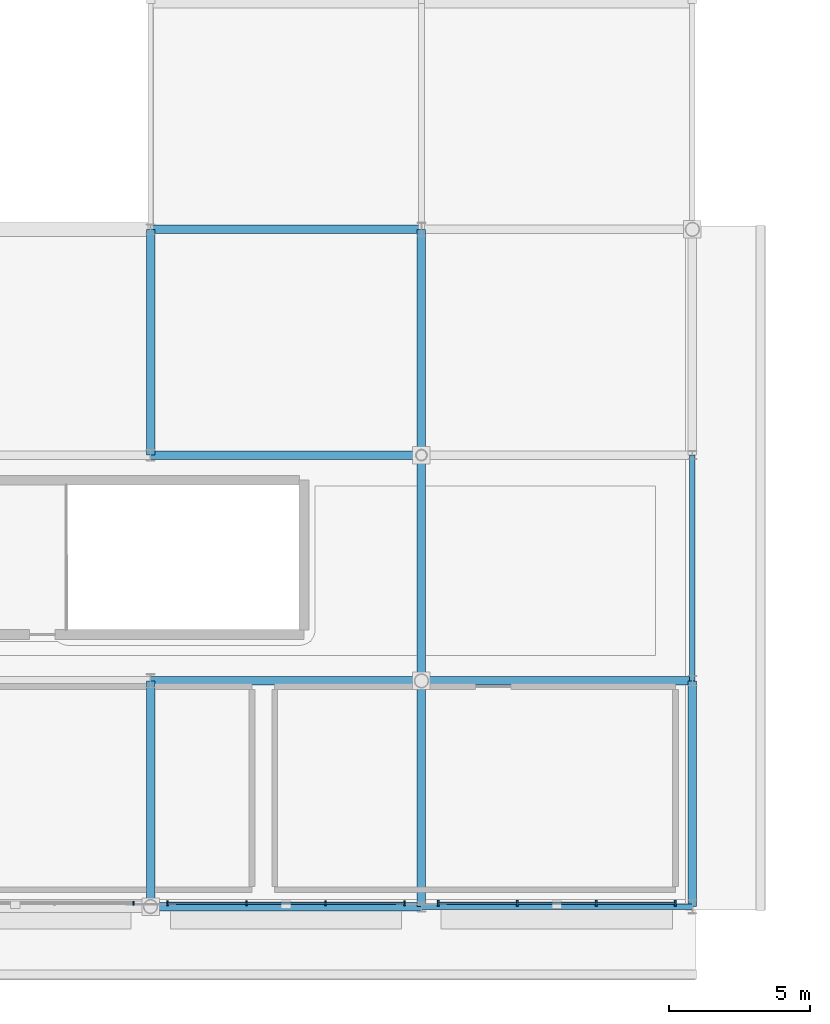
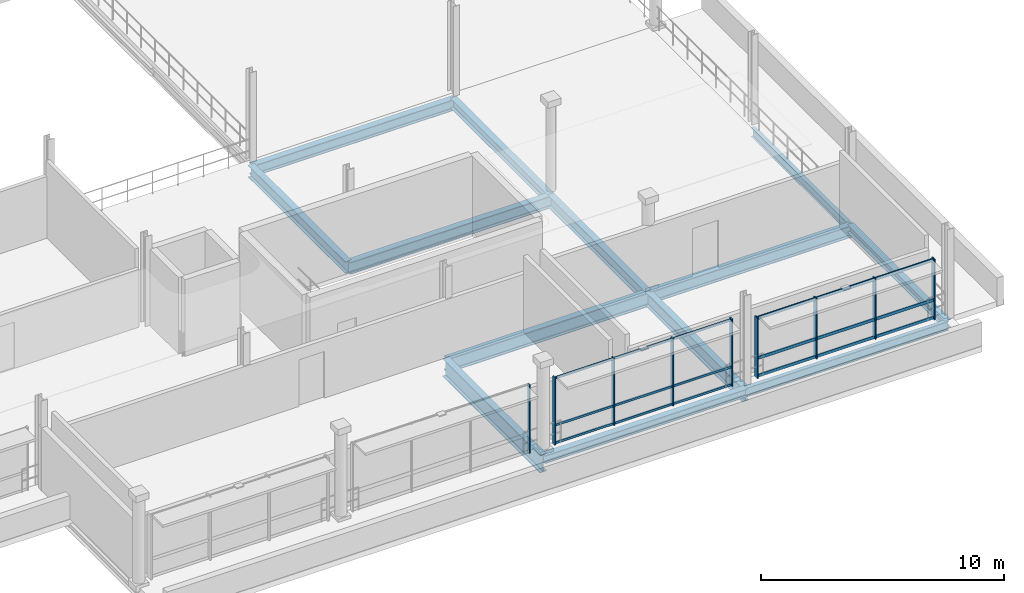
# One storey, part 32 of 59: 15 members, 13 beams, 3 elements without a shape of their own.
"""IFC4 building model written with IfcOpenShell, lengths in metres."""

from ifc_helpers import new_model, si_unit, direction, frame, origin, origin_2d, place, context, subcontext, project, spatial, rectangle, i_section, extrude, material, material_profile, profile_set, type_object, element, aggregate, save


model = new_model("IFC4")

# Units and contexts
model_context = context("Model", 3, precision=1e-05, world=origin(), true_north=direction((0.0, 1.0)))
body_context = subcontext(model_context, "Body", "Model", "MODEL_VIEW")
ifc_project = project(units=[si_unit("LENGTHUNIT", "METRE"), si_unit("AREAUNIT", "SQUARE_METRE"), si_unit("VOLUMEUNIT", "CUBIC_METRE"), si_unit("PLANEANGLEUNIT", "RADIAN"), si_unit("MASSUNIT", "GRAM", prefix="KILO")], contexts=[model_context])

# Site, building, storey
site_placement = place(None, origin())
site = spatial("IfcSite", under=ifc_project, at=site_placement, CompositionType="ELEMENT")
building_placement = place(site_placement, origin())
building = spatial("IfcBuilding", under=site, at=building_placement, Name="Danafjord Basin Convention Centre", CompositionType="ELEMENT")
storey_placement = place(building_placement, frame((0.0, 0.0, 15.89990234375)))
storey = spatial("IfcBuildingStorey", under=building, at=storey_placement, Name="L03", CompositionType="ELEMENT", Elevation=15.89990234375)

# Beams
ifc_material_1 = material(Name="Steel S355", Category="steel")
ifc_material_profile_1 = material_profile(ifc_material_1, i_section(OverallWidth=0.300048828125, OverallDepth=0.5, WebThickness=0.014404296875, FlangeThickness=0.028076171875, FilletRadius=0.027099609375, at=origin_2d()), Name="HEB 500")
ifc_profile_set_1 = profile_set([ifc_material_profile_1], Name="Steel S355")
beam_type_1 = type_object("IfcBeamType", Name="BEAM-BM-HEB500", PredefinedType="BEAM", material=ifc_profile_set_1)
beam_1_placement = place(storey_placement, frame((201.60009765625, 16.0, -0.473876953125), z_axis=(0.0, 1.0, 0.0), x_axis=(-1.0, 0.0, 0.0)))
element("IfcBeam", 1, at=beam_1_placement, inside=storey, type_object=beam_type_1, Name="L03 transverse girder BM-HEB500", PredefinedType="BEAM", context=body_context, shape_type="SweptSolid", body=[
    extrude(i_section(OverallWidth=0.300048828125, OverallDepth=0.5, WebThickness=0.014404296875, FlangeThickness=0.028076171875, FilletRadius=0.027099609375, at=origin_2d()), origin(), (0.0, 0.0, 1.0), 8.0),
])
ifc_material_profile_2 = material_profile(ifc_material_1, i_section(OverallWidth=0.300048828125, OverallDepth=0.550048828125, WebThickness=0.014892578125, FlangeThickness=0.029052734375, FilletRadius=0.027099609375, at=origin_2d()), Name="HEB 550")
ifc_profile_set_2 = profile_set([ifc_material_profile_2], Name="Steel S355")
beam_type_2 = type_object("IfcBeamType", Name="BEAM-BM-HEB550", PredefinedType="BEAM", material=ifc_profile_set_2)
beam_2_placement = place(storey_placement, frame((192.0, 24.0, -0.510986328125), z_axis=(1.0, 0.0, 0.0), x_axis=(0.0, 1.0, 0.0)))
element("IfcBeam", 2, at=beam_2_placement, inside=storey, type_object=beam_type_2, Name="L03 girder BM-HEB550", PredefinedType="BEAM", context=body_context, shape_type="SweptSolid", body=[
    extrude(i_section(OverallWidth=0.300048828125, OverallDepth=0.550048828125, WebThickness=0.014892578125, FlangeThickness=0.029052734375, FilletRadius=0.027099609375, at=origin_2d()), origin(), (0.0, 0.0, 1.0), 9.60009765625),
])
ifc_material_profile_3 = material_profile(ifc_material_1, i_section(OverallWidth=0.300048828125, OverallDepth=0.60009765625, WebThickness=0.015380859375, FlangeThickness=0.030029296875, FilletRadius=0.027099609375, at=origin_2d()), Name="HEB 600")
ifc_profile_set_3 = profile_set([ifc_material_profile_3], Name="Steel S355")
beam_type_3 = type_object("IfcBeamType", Name="BEAM-BM-HEB600", PredefinedType="BEAM", material=ifc_profile_set_3)
beam_3_placement = place(storey_placement, frame((192.0, 16.0, -0.52392578125), z_axis=(1.0, 0.0, 0.0), x_axis=(0.0, 1.0, 0.0)))
element("IfcBeam", 3, at=beam_3_placement, inside=storey, type_object=beam_type_3, Name="L03 girder BM-HEB600", PredefinedType="BEAM", context=body_context, shape_type="SweptSolid", body=[
    extrude(i_section(OverallWidth=0.300048828125, OverallDepth=0.60009765625, WebThickness=0.015380859375, FlangeThickness=0.030029296875, FilletRadius=0.027099609375, at=origin_2d()), origin(), (0.0, 0.0, 1.0), 9.60009765625),
])
beam_4_placement = place(storey_placement, frame((201.60009765625, 8.0, -0.52392578125), z_axis=(1.0, 0.0, 0.0), x_axis=(0.0, 1.0, 0.0)))
element("IfcBeam", 4, at=beam_4_placement, inside=storey, type_object=beam_type_3, Name="L03 girder BM-HEB600", PredefinedType="BEAM", context=body_context, shape_type="SweptSolid", body=[
    extrude(i_section(OverallWidth=0.300048828125, OverallDepth=0.60009765625, WebThickness=0.015380859375, FlangeThickness=0.030029296875, FilletRadius=0.027099609375, at=origin_2d()), origin(), (0.0, 0.0, 1.0), 9.599853515625),
])
for number, where, z_axis, x_axis, name in (
    (5, (192.0, 16.0, -0.52392578125), (0.0, 1.0, 0.0), (-1.0, 0.0, 0.0), "L03 transverse girder BM-HEB600"),
    (6, (201.60009765625, 8.0, -0.52392578125), (0.0, 1.0, 0.0), (-1.0, 0.0, 0.0), "L03 transverse girder BM-HEB600"),
):
    element("IfcBeam", number, at=place(storey_placement, frame(where, z_axis=z_axis, x_axis=x_axis)), inside=storey, type_object=beam_type_3, Name=name, PredefinedType="BEAM", context=body_context, shape_type="SweptSolid", body=[
        extrude(i_section(OverallWidth=0.300048828125, OverallDepth=0.60009765625, WebThickness=0.015380859375, FlangeThickness=0.030029296875, FilletRadius=0.027099609375, at=origin_2d()), origin(), (0.0, 0.0, 1.0), 8.0),
    ])
ifc_material_profile_4 = material_profile(ifc_material_1, i_section(OverallWidth=0.300048828125, OverallDepth=0.699951171875, WebThickness=0.01708984375, FlangeThickness=0.031982421875, FilletRadius=0.027099609375, at=origin_2d()), Name="HEB 700")
ifc_profile_set_4 = profile_set([ifc_material_profile_4], Name="Steel S355")
beam_type_4 = type_object("IfcBeamType", Name="BEAM-BM-HEB700", PredefinedType="BEAM", material=ifc_profile_set_4)
beam_5_placement = place(storey_placement, frame((192.0, 8.0, -0.573974609375), z_axis=(1.0, 0.0, 0.0), x_axis=(0.0, 1.0, 0.0)))
element("IfcBeam", 7, at=beam_5_placement, inside=storey, type_object=beam_type_4, Name="L03 girder BM-HEB700", PredefinedType="BEAM", context=body_context, shape_type="SweptSolid", body=[
    extrude(i_section(OverallWidth=0.300048828125, OverallDepth=0.699951171875, WebThickness=0.01708984375, FlangeThickness=0.031982421875, FilletRadius=0.027099609375, at=origin_2d()), origin(), (0.0, 0.0, 1.0), 9.60009765625),
])
beam_6_placement = place(storey_placement, frame((201.60009765625, 0.0, -0.573974609375), z_axis=(0.0, 1.0, 0.0), x_axis=(-1.0, 0.0, 0.0)))
element("IfcBeam", 8, at=beam_6_placement, inside=storey, type_object=beam_type_4, Name="L03 transverse girder BM-HEB700", PredefinedType="BEAM", context=body_context, shape_type="SweptSolid", body=[
    extrude(i_section(OverallWidth=0.300048828125, OverallDepth=0.699951171875, WebThickness=0.01708984375, FlangeThickness=0.031982421875, FilletRadius=0.027099609375, at=origin_2d()), origin(), (0.0, 0.0, 1.0), 8.0),
])
ifc_material_profile_5 = material_profile(ifc_material_1, i_section(OverallWidth=0.300048828125, OverallDepth=0.89990234375, WebThickness=0.0185546875, FlangeThickness=0.034912109375, FilletRadius=0.030029296875, at=origin_2d()), Name="HEB 900")
ifc_profile_set_5 = profile_set([ifc_material_profile_5], Name="Steel S355")
beam_type_5 = type_object("IfcBeamType", Name="BEAM-BM-HEB900", PredefinedType="BEAM", material=ifc_profile_set_5)
beam_7_placement = place(storey_placement, frame((192.0, 0.0, -0.673828125), z_axis=(0.0, 1.0, 0.0), x_axis=(-1.0, 0.0, 0.0)))
element("IfcBeam", 9, at=beam_7_placement, inside=storey, type_object=beam_type_5, Name="L03 transverse girder BM-HEB900", PredefinedType="BEAM", context=body_context, shape_type="SweptSolid", body=[
    extrude(i_section(OverallWidth=0.300048828125, OverallDepth=0.89990234375, WebThickness=0.0185546875, FlangeThickness=0.034912109375, FilletRadius=0.030029296875, at=origin_2d()), origin(), (0.0, 0.0, 1.0), 8.0),
])
ifc_material_profile_6 = material_profile(ifc_material_1, i_section(OverallWidth=0.300048828125, OverallDepth=0.39990234375, WebThickness=0.013427734375, FlangeThickness=0.02392578125, FilletRadius=0.027099609375, at=origin_2d()), Name="HEB 400")
ifc_profile_set_6 = profile_set([ifc_material_profile_6], Name="Steel S355")
beam_type_6 = type_object("IfcBeamType", Name="BEAM-SP-HEB400", PredefinedType="SPANDREL", material=ifc_profile_set_6)
beam_8_placement = place(storey_placement, frame((192.0, 0.0, -0.423828125), z_axis=(1.0, 0.0, 0.0), x_axis=(0.0, 1.0, 0.0)))
element("IfcBeam", 10, at=beam_8_placement, inside=storey, type_object=beam_type_6, Name="L03 girder SP-HEB400", PredefinedType="SPANDREL", context=body_context, shape_type="SweptSolid", body=[
    extrude(i_section(OverallWidth=0.300048828125, OverallDepth=0.39990234375, WebThickness=0.013427734375, FlangeThickness=0.02392578125, FilletRadius=0.027099609375, at=origin_2d()), origin(), (0.0, 0.0, 1.0), 9.60009765625),
])
beam_9_placement = place(storey_placement, frame((211.199951171875, 0.0, -0.423828125), z_axis=(0.0, 1.0, 0.0), x_axis=(-1.0, 0.0, 0.0)))
element("IfcBeam", 11, at=beam_9_placement, inside=storey, type_object=beam_type_6, Name="L03 transverse girder SP-HEB400", PredefinedType="SPANDREL", context=body_context, shape_type="SweptSolid", body=[
    extrude(i_section(OverallWidth=0.300048828125, OverallDepth=0.39990234375, WebThickness=0.013427734375, FlangeThickness=0.02392578125, FilletRadius=0.027099609375, at=origin_2d()), origin(), (0.0, 0.0, 1.0), 8.0),
])
ifc_material_profile_7 = material_profile(ifc_material_1, i_section(OverallWidth=0.18994140625, OverallDepth=0.449951171875, WebThickness=0.009521484375, FlangeThickness=0.0146484375, FilletRadius=0.02099609375, at=origin_2d()), Name="IPE 450")
ifc_profile_set_7 = profile_set([ifc_material_profile_7], Name="Steel S355")
beam_type_7 = type_object("IfcBeamType", Name="BEAM-SP-IPE450", PredefinedType="SPANDREL", material=ifc_profile_set_7)
beam_10_placement = place(storey_placement, frame((201.60009765625, 0.0, -0.448974609375), z_axis=(1.0, 0.0, 0.0), x_axis=(0.0, 1.0, 0.0)))
element("IfcBeam", 12, at=beam_10_placement, inside=storey, type_object=beam_type_7, Name="L03 girder SP-IPE450", PredefinedType="SPANDREL", context=body_context, shape_type="SweptSolid", body=[
    extrude(i_section(OverallWidth=0.18994140625, OverallDepth=0.449951171875, WebThickness=0.009521484375, FlangeThickness=0.0146484375, FilletRadius=0.02099609375, at=origin_2d()), origin(), (0.0, 0.0, 1.0), 9.599853515625),
])
beam_11_placement = place(storey_placement, frame((211.199951171875, 8.0, -0.448974609375), z_axis=(0.0, 1.0, 0.0), x_axis=(-1.0, 0.0, 0.0)))
element("IfcBeam", 13, at=beam_11_placement, inside=storey, type_object=beam_type_7, Name="L03 transverse girder SP-IPE450", PredefinedType="SPANDREL", context=body_context, shape_type="SweptSolid", body=[
    extrude(i_section(OverallWidth=0.18994140625, OverallDepth=0.449951171875, WebThickness=0.009521484375, FlangeThickness=0.0146484375, FilletRadius=0.02099609375, at=origin_2d()), origin(), (0.0, 0.0, 1.0), 8.0),
])

# Curtain wall, member
ifc_material_2 = material(Name="Anodised aluminium and triple glazing", Category="aluminium")
curtain_wall_type = type_object("IfcCurtainWallType", Name="CW-CW-HARB", PredefinedType="NOTDEFINED", material=ifc_material_2)
curtain_wall_1_placement = place(storey_placement, origin())
curtain_wall_1 = element("IfcCurtainWall", 14, at=curtain_wall_1_placement, inside=storey, type_object=curtain_wall_type, Name="L03 CW-HARB unitised curtain wall bay 140", PredefinedType="NOTDEFINED")
ifc_material_3 = material(Name="Anodised aluminium EN AW-6060", Category="aluminium")
ifc_material_profile_8 = material_profile(ifc_material_3, rectangle(XDim=0.06005859375, YDim=0.139892578125, at=origin_2d()), Name="MULL 60x140")
ifc_profile_set_8 = profile_set([ifc_material_profile_8], Name="Anodised aluminium EN AW-6060")
member_type_1 = type_object("IfcMemberType", Name="MEM-ML-140", PredefinedType="MULLION", material=ifc_profile_set_8)
member_1_placement = place(storey_placement, frame((191.39990234375, 0.1201171875, -0.02490234375), z_axis=(0.0, 0.0, 1.0), x_axis=(1.0, 0.0, 0.0)))
member_1 = element("IfcMember", 15, at=member_1_placement, type_object=member_type_1, Name="CW-L03-140 mullion 4", PredefinedType="MULLION", context=body_context, shape_type="SweptSolid", body=[
    extrude(rectangle(XDim=0.06005859375, YDim=0.139892578125, at=origin_2d()), origin(), (0.0, 0.0, 1.0), 3.449951171875),
])
aggregate(curtain_wall_1, [member_1])

# Curtain wall, members
curtain_wall_2_placement = place(storey_placement, origin())
curtain_wall_2 = element("IfcCurtainWall", 16, at=curtain_wall_2_placement, inside=storey, type_object=curtain_wall_type, Name="L03 CW-HARB unitised curtain wall bay 141", PredefinedType="NOTDEFINED")
ifc_material_profile_9 = material_profile(ifc_material_3, rectangle(XDim=0.06005859375, YDim=0.179931640625, at=origin_2d()), Name="MULL 60x180")
ifc_profile_set_9 = profile_set([ifc_material_profile_9], Name="Anodised aluminium EN AW-6060")
member_type_2 = type_object("IfcMemberType", Name="MEM-ML-180", PredefinedType="MULLION", material=ifc_profile_set_9)
member_2_placement = place(storey_placement, frame((192.60009765625, 0.1201171875, -0.02490234375), z_axis=(0.0, 0.0, 1.0), x_axis=(1.0, 0.0, 0.0)))
member_2 = element("IfcMember", 17, at=member_2_placement, type_object=member_type_2, Name="CW-L03-141 mullion 1", PredefinedType="MULLION", context=body_context, shape_type="SweptSolid", body=[
    extrude(rectangle(XDim=0.06005859375, YDim=0.179931640625, at=origin_2d()), origin(), (0.0, 0.0, 1.0), 3.39990234375),
])
member_3_placement = place(storey_placement, frame((195.39990234375, 0.1201171875, -0.02490234375), z_axis=(0.0, 0.0, 1.0), x_axis=(1.0, 0.0, 0.0)))
member_3 = element("IfcMember", 18, at=member_3_placement, type_object=member_type_2, Name="CW-L03-141 mullion 2", PredefinedType="MULLION", context=body_context, shape_type="SweptSolid", body=[
    extrude(rectangle(XDim=0.06005859375, YDim=0.179931640625, at=origin_2d()), origin(), (0.0, 0.0, 1.0), 3.39990234375),
])
member_4_placement = place(storey_placement, frame((198.199951171875, 0.1201171875, -0.02490234375), z_axis=(0.0, 0.0, 1.0), x_axis=(1.0, 0.0, 0.0)))
member_4 = element("IfcMember", 19, at=member_4_placement, type_object=member_type_2, Name="CW-L03-141 mullion 3", PredefinedType="MULLION", context=body_context, shape_type="SweptSolid", body=[
    extrude(rectangle(XDim=0.06005859375, YDim=0.179931640625, at=origin_2d()), origin(), (0.0, 0.0, 1.0), 3.39990234375),
])
member_5_placement = place(storey_placement, frame((201.0, 0.1201171875, -0.02490234375), z_axis=(0.0, 0.0, 1.0), x_axis=(1.0, 0.0, 0.0)))
member_5 = element("IfcMember", 20, at=member_5_placement, type_object=member_type_2, Name="CW-L03-141 mullion 4", PredefinedType="MULLION", context=body_context, shape_type="SweptSolid", body=[
    extrude(rectangle(XDim=0.06005859375, YDim=0.179931640625, at=origin_2d()), origin(), (0.0, 0.0, 1.0), 3.39990234375),
])

curtain_wall_3_placement = place(storey_placement, origin())
curtain_wall_3 = element("IfcCurtainWall", 21, at=curtain_wall_3_placement, inside=storey, type_object=curtain_wall_type, Name="L03 CW-HARB unitised curtain wall bay 142", PredefinedType="NOTDEFINED")
ifc_material_profile_10 = material_profile(ifc_material_3, rectangle(XDim=0.06494140625, YDim=0.219970703125, at=origin_2d()), Name="MULL 65x220")
ifc_profile_set_10 = profile_set([ifc_material_profile_10], Name="Anodised aluminium EN AW-6060")
member_type_3 = type_object("IfcMemberType", Name="MEM-ML-220", PredefinedType="MULLION", material=ifc_profile_set_10)
member_6_placement = place(storey_placement, frame((202.199951171875, 0.1201171875, -0.02490234375), z_axis=(0.0, 0.0, 1.0), x_axis=(1.0, 0.0, 0.0)))
member_6 = element("IfcMember", 22, at=member_6_placement, type_object=member_type_3, Name="CW-L03-142 mullion 1", PredefinedType="MULLION", context=body_context, shape_type="SweptSolid", body=[
    extrude(rectangle(XDim=0.06494140625, YDim=0.219970703125, at=origin_2d()), origin(), (0.0, 0.0, 1.0), 3.050048828125),
])
member_7_placement = place(storey_placement, frame((205.0, 0.1201171875, -0.02490234375), z_axis=(0.0, 0.0, 1.0), x_axis=(1.0, 0.0, 0.0)))
member_7 = element("IfcMember", 23, at=member_7_placement, type_object=member_type_3, Name="CW-L03-142 mullion 2", PredefinedType="MULLION", context=body_context, shape_type="SweptSolid", body=[
    extrude(rectangle(XDim=0.06494140625, YDim=0.219970703125, at=origin_2d()), origin(), (0.0, 0.0, 1.0), 3.050048828125),
])
member_8_placement = place(storey_placement, frame((207.800048828125, 0.1201171875, -0.02490234375), z_axis=(0.0, 0.0, 1.0), x_axis=(1.0, 0.0, 0.0)))
member_8 = element("IfcMember", 24, at=member_8_placement, type_object=member_type_3, Name="CW-L03-142 mullion 3", PredefinedType="MULLION", context=body_context, shape_type="SweptSolid", body=[
    extrude(rectangle(XDim=0.06494140625, YDim=0.219970703125, at=origin_2d()), origin(), (0.0, 0.0, 1.0), 3.050048828125),
])
member_9_placement = place(storey_placement, frame((210.60009765625, 0.1201171875, -0.02490234375), z_axis=(0.0, 0.0, 1.0), x_axis=(1.0, 0.0, 0.0)))
member_9 = element("IfcMember", 25, at=member_9_placement, type_object=member_type_3, Name="CW-L03-142 mullion 4", PredefinedType="MULLION", context=body_context, shape_type="SweptSolid", body=[
    extrude(rectangle(XDim=0.06494140625, YDim=0.219970703125, at=origin_2d()), origin(), (0.0, 0.0, 1.0), 3.050048828125),
])

# Member
ifc_material_profile_11 = material_profile(ifc_material_3, rectangle(XDim=0.06005859375, YDim=0.110107421875, at=origin_2d()), Name="TRAN 60x110")
ifc_profile_set_11 = profile_set([ifc_material_profile_11], Name="Anodised aluminium EN AW-6060")
member_type_4 = type_object("IfcMemberType", Name="MEM-TR-110", PredefinedType="USERDEFINED", material=ifc_profile_set_11)
member_10_placement = place(storey_placement, frame((192.60009765625, 0.1201171875, 0.06005859375), z_axis=(1.0, 0.0, 0.0), x_axis=(0.0, 1.0, 0.0)))
member_10 = element("IfcMember", 26, at=member_10_placement, type_object=member_type_4, Name="CW-L03-141 transom 1", ObjectType="TRANSOM", PredefinedType="USERDEFINED", context=body_context, shape_type="SweptSolid", body=[
    extrude(rectangle(XDim=0.06005859375, YDim=0.110107421875, at=origin_2d()), origin(), (0.0, 0.0, 1.0), 8.39990234375),
])

member_11_placement = place(storey_placement, frame((192.60009765625, 0.1201171875, 0.9501953125), z_axis=(1.0, 0.0, 0.0), x_axis=(0.0, 1.0, 0.0)))
member_11 = element("IfcMember", 27, at=member_11_placement, type_object=member_type_4, Name="CW-L03-141 transom 2", ObjectType="TRANSOM", PredefinedType="USERDEFINED", context=body_context, shape_type="SweptSolid", body=[
    extrude(rectangle(XDim=0.06005859375, YDim=0.110107421875, at=origin_2d()), origin(), (0.0, 0.0, 1.0), 8.39990234375),
])

member_12_placement = place(storey_placement, frame((192.60009765625, 0.1201171875, 3.30517578125), z_axis=(1.0, 0.0, 0.0), x_axis=(0.0, 1.0, 0.0)))
member_12 = element("IfcMember", 28, at=member_12_placement, type_object=member_type_4, Name="CW-L03-141 transom 3", ObjectType="TRANSOM", PredefinedType="USERDEFINED", context=body_context, shape_type="SweptSolid", body=[
    extrude(rectangle(XDim=0.06005859375, YDim=0.110107421875, at=origin_2d()), origin(), (0.0, 0.0, 1.0), 8.39990234375),
])

aggregate(curtain_wall_2, [member_2, member_3, member_4, member_5, member_10, member_11, member_12])

ifc_material_profile_12 = material_profile(ifc_material_3, rectangle(XDim=0.06005859375, YDim=0.14990234375, at=origin_2d()), Name="TRAN 60x150")
ifc_profile_set_12 = profile_set([ifc_material_profile_12], Name="Anodised aluminium EN AW-6060")
member_type_5 = type_object("IfcMemberType", Name="MEM-TR-150", PredefinedType="USERDEFINED", material=ifc_profile_set_12)
member_13_placement = place(storey_placement, frame((202.199951171875, 0.1201171875, 0.06005859375), z_axis=(1.0, 0.0, 0.0), x_axis=(0.0, 1.0, 0.0)))
member_13 = element("IfcMember", 29, at=member_13_placement, type_object=member_type_5, Name="CW-L03-142 transom 1", ObjectType="TRANSOM", PredefinedType="USERDEFINED", context=body_context, shape_type="SweptSolid", body=[
    extrude(rectangle(XDim=0.06005859375, YDim=0.14990234375, at=origin_2d()), origin(), (0.0, 0.0, 1.0), 8.400146484375),
])

member_14_placement = place(storey_placement, frame((202.199951171875, 0.1201171875, 0.9501953125), z_axis=(1.0, 0.0, 0.0), x_axis=(0.0, 1.0, 0.0)))
member_14 = element("IfcMember", 30, at=member_14_placement, type_object=member_type_5, Name="CW-L03-142 transom 2", ObjectType="TRANSOM", PredefinedType="USERDEFINED", context=body_context, shape_type="SweptSolid", body=[
    extrude(rectangle(XDim=0.06005859375, YDim=0.14990234375, at=origin_2d()), origin(), (0.0, 0.0, 1.0), 8.400146484375),
])

member_15_placement = place(storey_placement, frame((202.199951171875, 0.1201171875, 2.955078125), z_axis=(1.0, 0.0, 0.0), x_axis=(0.0, 1.0, 0.0)))
member_15 = element("IfcMember", 31, at=member_15_placement, type_object=member_type_5, Name="CW-L03-142 transom 3", ObjectType="TRANSOM", PredefinedType="USERDEFINED", context=body_context, shape_type="SweptSolid", body=[
    extrude(rectangle(XDim=0.06005859375, YDim=0.14990234375, at=origin_2d()), origin(), (0.0, 0.0, 1.0), 8.400146484375),
])

aggregate(curtain_wall_3, [member_6, member_7, member_8, member_9, member_13, member_14, member_15])

save(model, "model.ifc")
